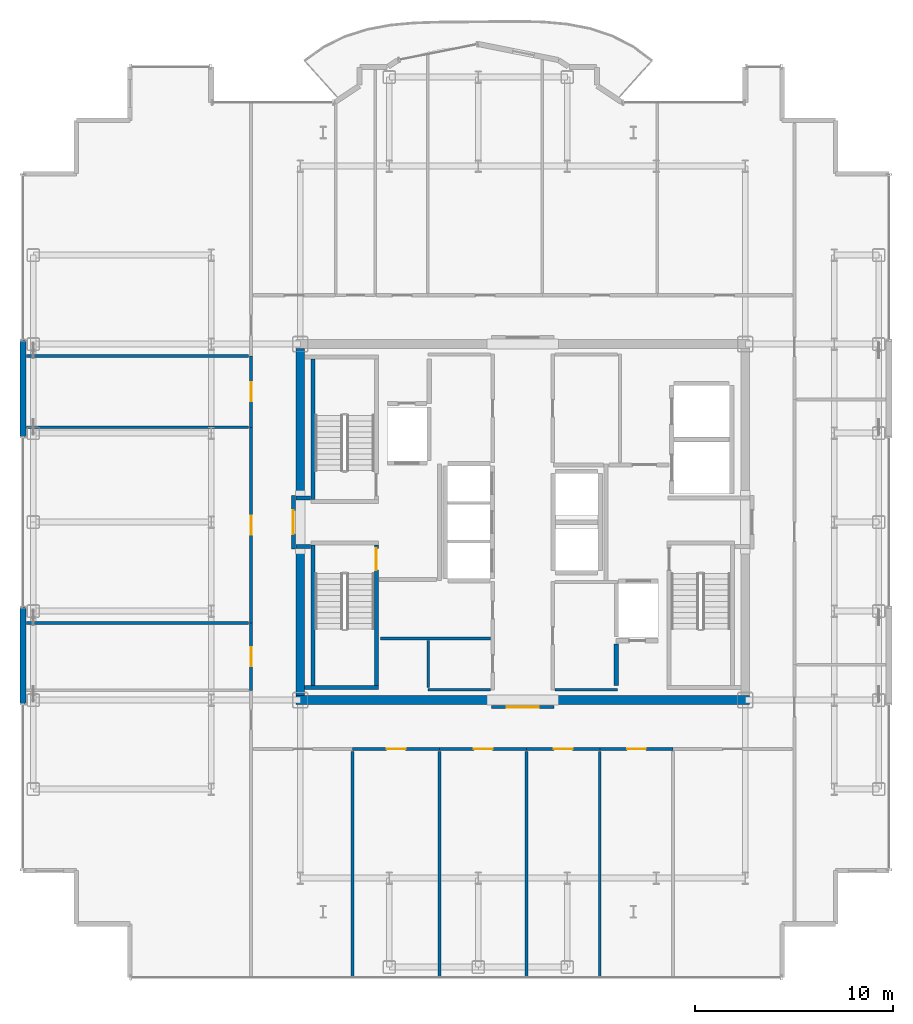
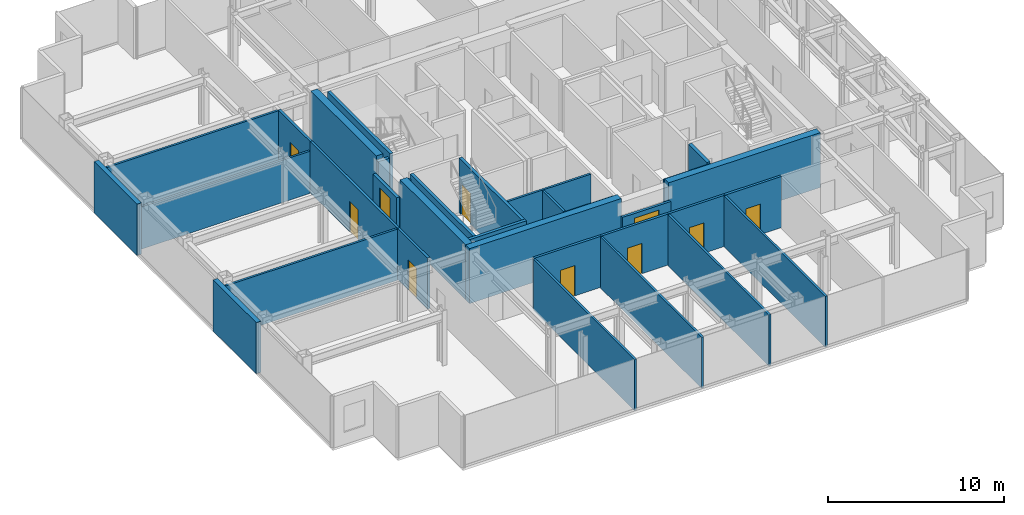
# One storey, part 11 of 16: 33 walls, 10 doors, 10 openings.
"""IFC4 building model written with IfcOpenShell, lengths in metres."""

from ifc_helpers import new_model, si_unit, direction, frame, frame_2d, origin, place, context, subcontext, project, spatial, rectangle, extrude, source, transform, mapped, material, layer, layer_set, type_object, element, fill, save


model = new_model("IFC4")

# Units and contexts
model_context = context("Model", 3, precision=1e-05, world=origin(), true_north=direction((0.0, 1.0)))
body_context = subcontext(model_context, "Body", "Model", "MODEL_VIEW")
ifc_project = project(units=[si_unit("LENGTHUNIT", "METRE"), si_unit("AREAUNIT", "SQUARE_METRE"), si_unit("VOLUMEUNIT", "CUBIC_METRE"), si_unit("PLANEANGLEUNIT", "RADIAN"), si_unit("MASSUNIT", "GRAM", prefix="KILO")], contexts=[model_context])

# Site, building, storey
site_placement = place(None, origin())
site = spatial("IfcSite", under=ifc_project, at=site_placement, CompositionType="ELEMENT")
building_placement = place(site_placement, origin())
building = spatial("IfcBuilding", under=site, at=building_placement, Name="Nefas-Gora Pilgrimage Tower", CompositionType="ELEMENT")
storey_placement = place(building_placement, frame((0.0, 0.0, 276.0)))
storey = spatial("IfcBuildingStorey", under=building, at=storey_placement, Name="L69", CompositionType="ELEMENT", Elevation=276.0)

# Walls
ifc_material_1 = material(Name="Concrete C50/60", Category="concrete")
ifc_layer_1 = layer(ifc_material_1, 0.449951171875)
ifc_layer_set_1 = layer_set([ifc_layer_1], Name="Concrete C50/60")
wall_type_1 = type_object("IfcWallType", Name="SW-CORE-450", PredefinedType="SHEAR", material=ifc_layer_set_1)
shared_shape_1 = source(origin(), body_context, "Body", "SweptSolid", [
    extrude(rectangle(XDim=9.925048828125, YDim=0.449951171875, at=frame_2d((4.96240234375, 0.0))), origin(), (0.0, 0.0, 1.0), 3.800048828125),
])
for number, where, z_axis, x_axis, name in (
    (1, (-11.47509765625, -9.0, 0.0), (0.0, 0.0, 1.0), (1.0, 0.0, 0.0), "L69 Core Shear Wall S-West"),
    (2, (1.550048828125, -9.0, 0.0), (0.0, 0.0, 1.0), (1.0, 0.0, 0.0), "L69 Core Shear Wall S-East"),
):
    element("IfcWall", number, at=place(storey_placement, frame(where, z_axis=z_axis, x_axis=x_axis)), inside=storey, type_object=wall_type_1, Name=name, PredefinedType="SHEAR", context=body_context, shape_type="MappedRepresentation", body=[
        mapped(shared_shape_1, transform((0.0, 0.0, 0.0), x_axis=(1.0, 0.0, 0.0), y_axis=(0.0, 1.0, 0.0), z_axis=(0.0, 0.0, 1.0), scale=1.0)),
    ])
shared_shape_2 = source(origin(), body_context, "Body", "SweptSolid", [
    extrude(rectangle(XDim=7.4248046875, YDim=0.449951171875, at=frame_2d((3.71240234375, 0.0))), origin(), (0.0, 0.0, 1.0), 3.800048828125),
])
for number, where, z_axis, x_axis, name in (
    (3, (-11.25, -8.77490234375, 0.0), (0.0, 0.0, 1.0), (0.0, 1.0, 0.0), "L69 Core Shear Wall W-South"),
    (4, (-11.25, 1.35009765625, 0.0), (0.0, 0.0, 1.0), (0.0, 1.0, 0.0), "L69 Core Shear Wall W-North"),
):
    element("IfcWall", number, at=place(storey_placement, frame(where, z_axis=z_axis, x_axis=x_axis)), inside=storey, type_object=wall_type_1, Name=name, PredefinedType="SHEAR", context=body_context, shape_type="MappedRepresentation", body=[
        mapped(shared_shape_2, transform((0.0, 0.0, 0.0), x_axis=(1.0, 0.0, 0.0), y_axis=(0.0, 1.0, 0.0), z_axis=(0.0, 0.0, 1.0), scale=1.0)),
    ])
ifc_material_2 = material(Name="Precast concrete C45/55", Category="concrete")
ifc_layer_2 = layer(ifc_material_2, 0.239990234375)
ifc_layer_set_2 = layer_set([ifc_layer_2], Name="Precast concrete C45/55")
wall_type_2 = type_object("IfcWallType", Name="EW-SERR-240", PredefinedType="SHEAR", material=ifc_layer_set_2)
shared_shape_3 = source(origin(), body_context, "Body", "SweptSolid", [
    extrude(rectangle(XDim=4.8798828125, YDim=0.300048828125, at=frame_2d((2.43994140625, 0.0))), origin(), (0.0, 0.0, 1.0), 3.550048828125),
])
for number, where, z_axis, x_axis, name in (
    (5, (-25.27001953125, -9.18994140625, 0.0), (0.0, 0.0, 1.0), (0.0, 1.0, 0.0), "L69 Braced-Tube Precast Shear Cladding 1"),
    (6, (-25.27001953125, 4.31005859375, 0.0), (0.0, 0.0, 1.0), (0.0, 1.0, 0.0), "L69 Braced-Tube Precast Shear Cladding 2"),
):
    element("IfcWall", number, at=place(storey_placement, frame(where, z_axis=z_axis, x_axis=x_axis)), inside=storey, type_object=wall_type_2, Name=name, PredefinedType="SHEAR", context=body_context, shape_type="MappedRepresentation", body=[
        mapped(shared_shape_3, transform((0.0, 0.0, 0.0), x_axis=(1.0, 0.0, 0.0), y_axis=(0.0, 1.0, 0.0), z_axis=(0.0, 0.0, 1.0), scale=1.0)),
    ])
ifc_material_3 = material(Name="Concrete C45/55", Category="concrete")
ifc_layer_3 = layer(ifc_material_3, 0.199951171875)
ifc_layer_set_3 = layer_set([ifc_layer_3], Name="Concrete C45/55")
wall_type_3 = type_object("IfcWallType", Name="IW-STAIR-200", PredefinedType="SOLIDWALL", material=ifc_layer_set_3)
shared_shape_4 = source(origin(), body_context, "Body", "SweptSolid", [
    extrude(rectangle(XDim=7.10009765625, YDim=0.199951171875, at=frame_2d((3.550048828125, 0.0))), origin(), (0.0, 0.0, 1.0), 3.800048828125),
])
for number, where, z_axis, x_axis, name in (
    (7, (-10.60009765625, 1.14990234375, 0.0), (0.0, 0.0, 1.0), (0.0, 1.0, 0.0), "L69 Stairwell Shear Wall ST-01-right"),
    (8, (-10.60009765625, -1.14990234375, 0.0), (0.0, 0.0, 1.0), (0.0, -1.0, 0.0), "L69 Stairwell Shear Wall ST-03-left"),
):
    element("IfcWall", number, at=place(storey_placement, frame(where, z_axis=z_axis, x_axis=x_axis)), inside=storey, type_object=wall_type_3, Name=name, PredefinedType="SOLIDWALL", context=body_context, shape_type="MappedRepresentation", body=[
        mapped(shared_shape_4, transform((0.0, 0.0, 0.0), x_axis=(1.0, 0.0, 0.0), y_axis=(0.0, 1.0, 0.0), z_axis=(0.0, 0.0, 1.0), scale=1.0)),
    ])

# Wall, opening, door
wall_1_placement = place(storey_placement, frame((-7.39990234375, -1.14990234375, 0.0), z_axis=(0.0, 0.0, 1.0), x_axis=(0.0, -1.0, 0.0)))
wall_1 = element("IfcWall", 9, at=wall_1_placement, inside=storey, type_object=wall_type_3, Name="L69 Stairwell Shear Wall ST-03-right", PredefinedType="SOLIDWALL", context=body_context, shape_type="MappedRepresentation", body=[
    mapped(shared_shape_4, transform((0.0, 0.0, 0.0), x_axis=(1.0, 0.0, 0.0), y_axis=(0.0, 1.0, 0.0), z_axis=(0.0, 0.0, 1.0), scale=1.0)),
])
opening_1_placement = place(wall_1_placement, frame((0.179931640625, 0.0, 0.0)))
opening_1 = element("IfcOpeningElement", 10, at=opening_1_placement, cuts=wall_1, Name="Opening ID-ST1", PredefinedType="OPENING", context=body_context, shape_type="SweptSolid", body=[
    extrude(rectangle(XDim=1.10009765625, YDim=2.14990234375, at=frame_2d((0.550048828125, 1.074951171875))), frame((0.0, 0.10986328125, 0.0), z_axis=(0.0, -1.0, 0.0), x_axis=(1.0, 0.0, 0.0)), (0.0, 0.0, 1.0), 0.219970703125),
])
ifc_material_4 = material(Name="Painted galvanised steel fire stair door", Category="steel")
door_type_1 = type_object("IfcDoorType", Name="DR-INT-STAIR-1100", OperationType="NOTDEFINED", PredefinedType="DOOR", material=ifc_material_4)
shared_shape_5 = source(origin(), body_context, "Body", "SweptSolid", [
    extrude(rectangle(XDim=1.10009765625, YDim=2.14990234375, at=frame_2d((0.550048828125, 1.074951171875))), frame((0.0, 0.02490234375, 0.0), z_axis=(0.0, -1.0, 0.0), x_axis=(1.0, 0.0, 0.0)), (0.0, 0.0, 1.0), 0.050048828125),
])
door_1_placement = place(opening_1_placement, origin())
door_1 = element("IfcDoor", 11, at=door_1_placement, inside=storey, type_object=door_type_1, Name="L69 Protected Exit Stair Door ST-03", OperationType="SINGLE_SWING_LEFT", OverallHeight=2.14990234375, OverallWidth=1.10009765625, PredefinedType="DOOR", context=body_context, shape_type="MappedRepresentation", body=[
    mapped(shared_shape_5, transform((0.0, 0.0, 0.0), x_axis=(1.0, 0.0, 0.0), y_axis=(0.0, 1.0, 0.0), z_axis=(0.0, 0.0, 1.0), scale=1.0)),
])
fill(opening_1, door_1)

# Walls
shared_shape_6 = source(origin(), body_context, "Body", "SweptSolid", [
    extrude(rectangle(XDim=3.72998046875, YDim=0.199951171875, at=frame_2d((1.864990234375, 0.0))), origin(), (0.0, 0.0, 1.0), 3.800048828125),
])
wall_2_placement = place(storey_placement, frame((-11.030029296875, -8.35009765625, 0.0), z_axis=(0.0, 0.0, 1.0), x_axis=(1.0, 0.0, 0.0)))
element("IfcWall", 12, at=wall_2_placement, inside=storey, type_object=wall_type_3, Name="L69 Stairwell Shear Wall ST-03-far", PredefinedType="SOLIDWALL", context=body_context, shape_type="MappedRepresentation", body=[
    mapped(shared_shape_6, transform((0.0, 0.0, 0.0), x_axis=(1.0, 0.0, 0.0), y_axis=(0.0, 1.0, 0.0), z_axis=(0.0, 0.0, 1.0), scale=1.0)),
])
ifc_material_5 = material(Name="Gypsum fire-rated shaftwall")
ifc_layer_4 = layer(ifc_material_5, 0.199951171875)
ifc_layer_set_4 = layer_set([ifc_layer_4], Name="Gypsum fire-rated shaftwall")
wall_type_4 = type_object("IfcWallType", Name="IW-FFLOB-200", PredefinedType="PARTITIONING", material=ifc_layer_set_4)
shared_shape_7 = source(origin(), body_context, "Body", "SweptSolid", [
    extrude(rectangle(XDim=0.719970703125, YDim=0.199951171875, at=frame_2d((0.35986328125, 0.0))), origin(), (0.0, 0.0, 1.0), 3.534912109375),
])
for number, where, z_axis, x_axis, name in (
    (13, (-11.4599609375, 1.219970703125, 0.0), (0.0, 0.0, 1.0), (1.0, 0.0, 0.0), "L69 FF Lobby West Throat N Wall 8"),
    (14, (-11.4599609375, -1.219970703125, 0.0), (0.0, 0.0, 1.0), (1.0, 0.0, 0.0), "L69 FF Lobby West Throat S Wall 9"),
):
    element("IfcWall", number, at=place(storey_placement, frame(where, z_axis=z_axis, x_axis=x_axis)), inside=storey, type_object=wall_type_4, Name=name, PredefinedType="PARTITIONING", context=body_context, shape_type="MappedRepresentation", body=[
        mapped(shared_shape_7, transform((0.0, 0.0, 0.0), x_axis=(1.0, 0.0, 0.0), y_axis=(0.0, 1.0, 0.0), z_axis=(0.0, 0.0, 1.0), scale=1.0)),
    ])

# Wall, opening, door
ifc_material_6 = material(Name="Gypsum acoustic stud partition")
ifc_layer_5 = layer(ifc_material_6, 0.159912109375)
ifc_layer_set_5 = layer_set([ifc_layer_5], Name="Gypsum acoustic stud partition")
wall_type_5 = type_object("IfcWallType", Name="IW-CORR-160", PredefinedType="PARTITIONING", material=ifc_layer_set_5)
shared_shape_8 = source(origin(), body_context, "Body", "SweptSolid", [
    extrude(rectangle(XDim=3.610107421875, YDim=0.159912109375, at=frame_2d((1.80517578125, 0.0))), origin(), (0.0, 0.0, 1.0), 3.534912109375),
])
wall_3_placement = place(storey_placement, frame((-13.739990234375, 4.794921875, 0.0), z_axis=(0.0, 0.0, 1.0), x_axis=(0.0, 1.0, 0.0)))
wall_3 = element("IfcWall", 15, at=wall_3_placement, inside=storey, type_object=wall_type_5, Name="L69 Scripture Reading Study Partition Wall 39", PredefinedType="PARTITIONING", context=body_context, shape_type="MappedRepresentation", body=[
    mapped(shared_shape_8, transform((0.0, 0.0, 0.0), x_axis=(1.0, 0.0, 0.0), y_axis=(0.0, 1.0, 0.0), z_axis=(0.0, 0.0, 1.0), scale=1.0)),
])
opening_2_placement = place(wall_3_placement, frame((1.330078125, 0.0, 0.0)))
opening_2 = element("IfcOpeningElement", 16, at=opening_2_placement, cuts=wall_3, Name="Opening ID-GR1", PredefinedType="OPENING", context=body_context, shape_type="SweptSolid", body=[
    extrude(rectangle(XDim=0.949951171875, YDim=2.10009765625, at=frame_2d((0.47509765625, 1.050048828125))), frame((0.0, 0.08984375, 0.0), z_axis=(0.0, -1.0, 0.0), x_axis=(1.0, 0.0, 0.0)), (0.0, 0.0, 1.0), 0.179931640625),
])
ifc_material_7 = material(Name="Solid core oak fire-rated guest entrance door")
door_type_2 = type_object("IfcDoorType", Name="DR-INT-GUEST-950", OperationType="NOTDEFINED", PredefinedType="DOOR", material=ifc_material_7)
shared_shape_9 = source(origin(), body_context, "Body", "SweptSolid", [
    extrude(rectangle(XDim=0.949951171875, YDim=2.10009765625, at=frame_2d((0.47509765625, 1.050048828125))), frame((0.0, 0.02490234375, 0.0), z_axis=(0.0, -1.0, 0.0), x_axis=(1.0, 0.0, 0.0)), (0.0, 0.0, 1.0), 0.050048828125),
])
door_2_placement = place(opening_2_placement, origin())
door_2 = element("IfcDoor", 17, at=door_2_placement, inside=storey, type_object=door_type_2, Name="L69 Scripture Reading Study Door 17", OperationType="SINGLE_SWING_LEFT", OverallHeight=2.10009765625, OverallWidth=0.949951171875, PredefinedType="DOOR", context=body_context, shape_type="MappedRepresentation", body=[
    mapped(shared_shape_9, transform((0.0, 0.0, 0.0), x_axis=(1.0, 0.0, 0.0), y_axis=(0.0, 1.0, 0.0), z_axis=(0.0, 0.0, 1.0), scale=1.0)),
])
fill(opening_2, door_2)

shared_shape_10 = source(origin(), body_context, "Body", "SweptSolid", [
    extrude(rectangle(XDim=3.704833984375, YDim=0.159912109375, at=frame_2d((1.8525390625, 0.0))), origin(), (0.0, 0.0, 1.0), 3.534912109375),
])
wall_4_placement = place(storey_placement, frame((0.195068359375, -11.469970703125, 0.0), z_axis=(0.0, 0.0, 1.0), x_axis=(1.0, 0.0, 0.0)))
wall_4 = element("IfcWall", 18, at=wall_4_placement, inside=storey, type_object=wall_type_5, Name="L69 Pilgrim Contemplative Lounge Partition Wall 61", PredefinedType="PARTITIONING", context=body_context, shape_type="MappedRepresentation", body=[
    mapped(shared_shape_10, transform((0.0, 0.0, 0.0), x_axis=(1.0, 0.0, 0.0), y_axis=(0.0, 1.0, 0.0), z_axis=(0.0, 0.0, 1.0), scale=1.0)),
])
opening_3_placement = place(wall_4_placement, frame((1.37744140625, 0.0, 0.0)))
opening_3 = element("IfcOpeningElement", 19, at=opening_3_placement, cuts=wall_4, Name="Opening ID-GR1", PredefinedType="OPENING", context=body_context, shape_type="SweptSolid", body=[
    extrude(rectangle(XDim=0.949951171875, YDim=2.10009765625, at=frame_2d((0.47509765625, 1.050048828125))), frame((0.0, 0.08984375, 0.0), z_axis=(0.0, -1.0, 0.0), x_axis=(1.0, 0.0, 0.0)), (0.0, 0.0, 1.0), 0.179931640625),
])
door_3_placement = place(opening_3_placement, origin())
door_3 = element("IfcDoor", 20, at=door_3_placement, inside=storey, type_object=door_type_2, Name="L69 Pilgrim Contemplative Lounge Door 30", OperationType="SINGLE_SWING_RIGHT", OverallHeight=2.10009765625, OverallWidth=0.949951171875, PredefinedType="DOOR", context=body_context, shape_type="MappedRepresentation", body=[
    mapped(shared_shape_9, transform((0.0, 0.0, 0.0), x_axis=(1.0, 0.0, 0.0), y_axis=(0.0, 1.0, 0.0), z_axis=(0.0, 0.0, 1.0), scale=1.0)),
])
fill(opening_3, door_3)

shared_shape_11 = source(origin(), body_context, "Body", "SweptSolid", [
    extrude(rectangle(XDim=3.705078125, YDim=0.159912109375, at=frame_2d((1.8525390625, 0.0))), origin(), (0.0, 0.0, 1.0), 3.534912109375),
])
wall_5_placement = place(storey_placement, frame((3.89990234375, -11.469970703125, 0.0), z_axis=(0.0, 0.0, 1.0), x_axis=(1.0, 0.0, 0.0)))
wall_5 = element("IfcWall", 21, at=wall_5_placement, inside=storey, type_object=wall_type_5, Name="L69 Pilgrim Contemplative Lounge Partition Wall 63", PredefinedType="PARTITIONING", context=body_context, shape_type="MappedRepresentation", body=[
    mapped(shared_shape_11, transform((0.0, 0.0, 0.0), x_axis=(1.0, 0.0, 0.0), y_axis=(0.0, 1.0, 0.0), z_axis=(0.0, 0.0, 1.0), scale=1.0)),
])
opening_4_placement = place(wall_5_placement, frame((1.37744140625, 0.0, 0.0)))
opening_4 = element("IfcOpeningElement", 22, at=opening_4_placement, cuts=wall_5, Name="Opening ID-GR1", PredefinedType="OPENING", context=body_context, shape_type="SweptSolid", body=[
    extrude(rectangle(XDim=0.949951171875, YDim=2.10009765625, at=frame_2d((0.47509765625, 1.050048828125))), frame((0.0, 0.08984375, 0.0), z_axis=(0.0, -1.0, 0.0), x_axis=(1.0, 0.0, 0.0)), (0.0, 0.0, 1.0), 0.179931640625),
])
door_4_placement = place(opening_4_placement, origin())
door_4 = element("IfcDoor", 23, at=door_4_placement, inside=storey, type_object=door_type_2, Name="L69 Pilgrim Contemplative Lounge Door 31", OperationType="SINGLE_SWING_LEFT", OverallHeight=2.10009765625, OverallWidth=0.949951171875, PredefinedType="DOOR", context=body_context, shape_type="MappedRepresentation", body=[
    mapped(shared_shape_9, transform((0.0, 0.0, 0.0), x_axis=(1.0, 0.0, 0.0), y_axis=(0.0, 1.0, 0.0), z_axis=(0.0, 0.0, 1.0), scale=1.0)),
])
fill(opening_4, door_4)

# Walls
ifc_material_8 = material(Name="Gypsum twin-stud partition")
ifc_layer_6 = layer(ifc_material_8, 0.139892578125)
ifc_layer_set_6 = layer_set([ifc_layer_6], Name="Gypsum twin-stud partition")
wall_type_6 = type_object("IfcWallType", Name="IW-UNIT-140", PredefinedType="PARTITIONING", material=ifc_layer_set_6)
shared_shape_12 = source(origin(), body_context, "Body", "SweptSolid", [
    extrude(rectangle(XDim=3.150146484375, YDim=0.139892578125, at=frame_2d((1.5751953125, 0.0))), origin(), (0.0, 0.0, 1.0), 3.534912109375),
])
for number, where, z_axis, x_axis, name in (
    (24, (-4.7900390625, -8.47998046875, 0.0), (0.0, 0.0, 1.0), (1.0, 0.0, 0.0), "L69 Freed Bank-2 West Supply Vault Partition Wall 25"),
    (25, (1.639892578125, -8.47998046875, 0.0), (0.0, 0.0, 1.0), (1.0, 0.0, 0.0), "L69 Freed Bank-2 East Linen Store Partition Wall 29"),
):
    element("IfcWall", number, at=place(storey_placement, frame(where, z_axis=z_axis, x_axis=x_axis)), inside=storey, type_object=wall_type_6, Name=name, PredefinedType="PARTITIONING", context=body_context, shape_type="MappedRepresentation", body=[
        mapped(shared_shape_12, transform((0.0, 0.0, 0.0), x_axis=(1.0, 0.0, 0.0), y_axis=(0.0, 1.0, 0.0), z_axis=(0.0, 0.0, 1.0), scale=1.0)),
    ])

# Wall, opening, door
shared_shape_13 = source(origin(), body_context, "Body", "SweptSolid", [
    extrude(rectangle(XDim=3.409912109375, YDim=0.159912109375, at=frame_2d((1.705078125, 0.0))), origin(), (0.0, 0.0, 1.0), 3.534912109375),
])
wall_6_placement = place(storey_placement, frame((-13.739990234375, -8.5048828125, 0.0), z_axis=(0.0, 0.0, 1.0), x_axis=(0.0, 1.0, 0.0)))
wall_6 = element("IfcWall", 26, at=wall_6_placement, inside=storey, type_object=wall_type_5, Name="L69 Pastoral Chaplains Counselling Office Partition Wall 35", PredefinedType="PARTITIONING", context=body_context, shape_type="MappedRepresentation", body=[
    mapped(shared_shape_13, transform((0.0, 0.0, 0.0), x_axis=(1.0, 0.0, 0.0), y_axis=(0.0, 1.0, 0.0), z_axis=(0.0, 0.0, 1.0), scale=1.0)),
])
opening_5_placement = place(wall_6_placement, frame((1.22998046875, 0.0, 0.0)))
opening_5 = element("IfcOpeningElement", 27, at=opening_5_placement, cuts=wall_6, Name="Opening ID-GR1", PredefinedType="OPENING", context=body_context, shape_type="SweptSolid", body=[
    extrude(rectangle(XDim=0.949951171875, YDim=2.10009765625, at=frame_2d((0.47509765625, 1.050048828125))), frame((0.0, 0.08984375, 0.0), z_axis=(0.0, -1.0, 0.0), x_axis=(1.0, 0.0, 0.0)), (0.0, 0.0, 1.0), 0.179931640625),
])
door_5_placement = place(opening_5_placement, origin())
door_5 = element("IfcDoor", 28, at=door_5_placement, inside=storey, type_object=door_type_2, Name="L69 Pastoral Chaplains Counselling Office Door 15", OperationType="SINGLE_SWING_LEFT", OverallHeight=2.10009765625, OverallWidth=0.949951171875, PredefinedType="DOOR", context=body_context, shape_type="MappedRepresentation", body=[
    mapped(shared_shape_9, transform((0.0, 0.0, 0.0), x_axis=(1.0, 0.0, 0.0), y_axis=(0.0, 1.0, 0.0), z_axis=(0.0, 0.0, 1.0), scale=1.0)),
])
fill(opening_5, door_5)

shared_shape_14 = source(origin(), body_context, "Body", "SweptSolid", [
    extrude(rectangle(XDim=4.405029296875, YDim=0.159912109375, at=frame_2d((2.20263671875, 0.0))), origin(), (0.0, 0.0, 1.0), 3.534912109375),
])
wall_7_placement = place(storey_placement, frame((-8.60498046875, -11.469970703125, 0.0), z_axis=(0.0, 0.0, 1.0), x_axis=(1.0, 0.0, 0.0)))
wall_7 = element("IfcWall", 29, at=wall_7_placement, inside=storey, type_object=wall_type_5, Name="L69 Pilgrim Contemplative Lounge Partition Wall 57", PredefinedType="PARTITIONING", context=body_context, shape_type="MappedRepresentation", body=[
    mapped(shared_shape_14, transform((0.0, 0.0, 0.0), x_axis=(1.0, 0.0, 0.0), y_axis=(0.0, 1.0, 0.0), z_axis=(0.0, 0.0, 1.0), scale=1.0)),
])
opening_6_placement = place(wall_7_placement, frame((1.7275390625, 0.0, 0.0)))
opening_6 = element("IfcOpeningElement", 30, at=opening_6_placement, cuts=wall_7, Name="Opening ID-GR1", PredefinedType="OPENING", context=body_context, shape_type="SweptSolid", body=[
    extrude(rectangle(XDim=0.949951171875, YDim=2.10009765625, at=frame_2d((0.47509765625, 1.050048828125))), frame((0.0, 0.08984375, 0.0), z_axis=(0.0, -1.0, 0.0), x_axis=(1.0, 0.0, 0.0)), (0.0, 0.0, 1.0), 0.179931640625),
])
door_6_placement = place(opening_6_placement, origin())
door_6 = element("IfcDoor", 31, at=door_6_placement, inside=storey, type_object=door_type_2, Name="L69 Pilgrim Contemplative Lounge Door 28", OperationType="SINGLE_SWING_RIGHT", OverallHeight=2.10009765625, OverallWidth=0.949951171875, PredefinedType="DOOR", context=body_context, shape_type="MappedRepresentation", body=[
    mapped(shared_shape_9, transform((0.0, 0.0, 0.0), x_axis=(1.0, 0.0, 0.0), y_axis=(0.0, 1.0, 0.0), z_axis=(0.0, 0.0, 1.0), scale=1.0)),
])
fill(opening_6, door_6)

wall_8_placement = place(storey_placement, frame((-4.199951171875, -11.469970703125, 0.0), z_axis=(0.0, 0.0, 1.0), x_axis=(1.0, 0.0, 0.0)))
wall_8 = element("IfcWall", 32, at=wall_8_placement, inside=storey, type_object=wall_type_5, Name="L69 Pilgrim Contemplative Lounge Partition Wall 59", PredefinedType="PARTITIONING", context=body_context, shape_type="MappedRepresentation", body=[
    mapped(shared_shape_14, transform((0.0, 0.0, 0.0), x_axis=(1.0, 0.0, 0.0), y_axis=(0.0, 1.0, 0.0), z_axis=(0.0, 0.0, 1.0), scale=1.0)),
])
opening_7_placement = place(wall_8_placement, frame((1.7275390625, 0.0, 0.0)))
opening_7 = element("IfcOpeningElement", 33, at=opening_7_placement, cuts=wall_8, Name="Opening ID-GR1", PredefinedType="OPENING", context=body_context, shape_type="SweptSolid", body=[
    extrude(rectangle(XDim=0.949951171875, YDim=2.10009765625, at=frame_2d((0.47509765625, 1.050048828125))), frame((0.0, 0.08984375, 0.0), z_axis=(0.0, -1.0, 0.0), x_axis=(1.0, 0.0, 0.0)), (0.0, 0.0, 1.0), 0.179931640625),
])
door_7_placement = place(opening_7_placement, origin())
door_7 = element("IfcDoor", 34, at=door_7_placement, inside=storey, type_object=door_type_2, Name="L69 Pilgrim Contemplative Lounge Door 29", OperationType="SINGLE_SWING_LEFT", OverallHeight=2.10009765625, OverallWidth=0.949951171875, PredefinedType="DOOR", context=body_context, shape_type="MappedRepresentation", body=[
    mapped(shared_shape_9, transform((0.0, 0.0, 0.0), x_axis=(1.0, 0.0, 0.0), y_axis=(0.0, 1.0, 0.0), z_axis=(0.0, 0.0, 1.0), scale=1.0)),
])
fill(opening_7, door_7)

# Walls
shared_shape_15 = source(origin(), body_context, "Body", "SweptSolid", [
    extrude(rectangle(XDim=11.219970703125, YDim=0.139892578125, at=frame_2d((5.60986328125, 0.0))), origin(), (0.0, 0.0, 1.0), 3.534912109375),
])
for number, where, z_axis, x_axis, name in (
    (35, (-25.080078125, -5.10498046875, 0.0), (0.0, 0.0, 1.0), (1.0, 0.0, 0.0), "L69 Pastoral Chaplains Counselling Office Partition Wall 36"),
    (36, (-25.080078125, 8.39501953125, 0.0), (0.0, 0.0, 1.0), (1.0, 0.0, 0.0), "L69 Scripture Reading Study Partition Wall 40"),
):
    element("IfcWall", number, at=place(storey_placement, frame(where, z_axis=z_axis, x_axis=x_axis)), inside=storey, type_object=wall_type_6, Name=name, PredefinedType="PARTITIONING", context=body_context, shape_type="MappedRepresentation", body=[
        mapped(shared_shape_15, transform((0.0, 0.0, 0.0), x_axis=(1.0, 0.0, 0.0), y_axis=(0.0, 1.0, 0.0), z_axis=(0.0, 0.0, 1.0), scale=1.0)),
    ])

# Wall, opening, door
shared_shape_16 = source(origin(), body_context, "Body", "SweptSolid", [
    extrude(rectangle(XDim=9.909912109375, YDim=0.159912109375, at=frame_2d((4.955078125, 0.0))), origin(), (0.0, 0.0, 1.0), 3.534912109375),
])
wall_9_placement = place(storey_placement, frame((-13.739990234375, -5.10498046875, 0.0), z_axis=(0.0, 0.0, 1.0), x_axis=(0.0, 1.0, 0.0)))
wall_9 = element("IfcWall", 37, at=wall_9_placement, inside=storey, type_object=wall_type_5, Name="L69 Pilgrim Fellowship Seminar Room Partition Wall 37", PredefinedType="PARTITIONING", context=body_context, shape_type="MappedRepresentation", body=[
    mapped(shared_shape_16, transform((0.0, 0.0, 0.0), x_axis=(1.0, 0.0, 0.0), y_axis=(0.0, 1.0, 0.0), z_axis=(0.0, 0.0, 1.0), scale=1.0)),
])
opening_8_placement = place(wall_9_placement, frame((4.47998046875, 0.0, 0.0)))
opening_8 = element("IfcOpeningElement", 38, at=opening_8_placement, cuts=wall_9, Name="Opening ID-GR1", PredefinedType="OPENING", context=body_context, shape_type="SweptSolid", body=[
    extrude(rectangle(XDim=0.949951171875, YDim=2.10009765625, at=frame_2d((0.47509765625, 1.050048828125))), frame((0.0, 0.08984375, 0.0), z_axis=(0.0, -1.0, 0.0), x_axis=(1.0, 0.0, 0.0)), (0.0, 0.0, 1.0), 0.179931640625),
])
door_8_placement = place(opening_8_placement, origin())
door_8 = element("IfcDoor", 39, at=door_8_placement, inside=storey, type_object=door_type_2, Name="L69 Pilgrim Fellowship Seminar Room Door 16", OperationType="SINGLE_SWING_RIGHT", OverallHeight=2.10009765625, OverallWidth=0.949951171875, PredefinedType="DOOR", context=body_context, shape_type="MappedRepresentation", body=[
    mapped(shared_shape_9, transform((0.0, 0.0, 0.0), x_axis=(1.0, 0.0, 0.0), y_axis=(0.0, 1.0, 0.0), z_axis=(0.0, 0.0, 1.0), scale=1.0)),
])
fill(opening_8, door_8)

shared_shape_17 = source(origin(), body_context, "Body", "SweptSolid", [
    extrude(rectangle(XDim=2.7001953125, YDim=0.199951171875, at=frame_2d((1.35009765625, 0.0))), origin(), (0.0, 0.0, 1.0), 2.625),
])
wall_10_placement = place(storey_placement, frame((-11.60009765625, -1.35009765625, 0.0), z_axis=(0.0, 0.0, 1.0), x_axis=(0.0, 1.0, 0.0)))
wall_10 = element("IfcWall", 40, at=wall_10_placement, inside=storey, type_object=wall_type_4, Name="L69 FF Lobby West Portal Wall 5", PredefinedType="PARTITIONING", context=body_context, shape_type="MappedRepresentation", body=[
    mapped(shared_shape_17, transform((0.0, 0.0, 0.0), x_axis=(1.0, 0.0, 0.0), y_axis=(0.0, 1.0, 0.0), z_axis=(0.0, 0.0, 1.0), scale=1.0)),
])
opening_9_placement = place(wall_10_placement, frame((0.75, 0.0, 0.0)))
opening_9 = element("IfcOpeningElement", 41, at=opening_9_placement, cuts=wall_10, Name="Opening ID-FF1", PredefinedType="OPENING", context=body_context, shape_type="SweptSolid", body=[
    extrude(rectangle(XDim=1.199951171875, YDim=2.14990234375, at=frame_2d((0.60009765625, 1.074951171875))), frame((0.0, 0.10986328125, 0.0), z_axis=(0.0, -1.0, 0.0), x_axis=(1.0, 0.0, 0.0)), (0.0, 0.0, 1.0), 0.219970703125),
])
ifc_material_9 = material(Name="Smoke-sealed steel firefighting lobby door", Category="steel")
door_type_3 = type_object("IfcDoorType", Name="DR-INT-FFLOB-1200", OperationType="NOTDEFINED", PredefinedType="DOOR", material=ifc_material_9)
shared_shape_18 = source(origin(), body_context, "Body", "SweptSolid", [
    extrude(rectangle(XDim=1.199951171875, YDim=2.14990234375, at=frame_2d((0.60009765625, 1.074951171875))), frame((0.0, 0.02490234375, 0.0), z_axis=(0.0, -1.0, 0.0), x_axis=(1.0, 0.0, 0.0)), (0.0, 0.0, 1.0), 0.050048828125),
])
door_9_placement = place(opening_9_placement, origin())
door_9 = element("IfcDoor", 42, at=door_9_placement, inside=storey, type_object=door_type_3, Name="L69 FF Lobby West Portal Door 3", OperationType="SINGLE_SWING_LEFT", OverallHeight=2.14990234375, OverallWidth=1.199951171875, PredefinedType="DOOR", context=body_context, shape_type="MappedRepresentation", body=[
    mapped(shared_shape_18, transform((0.0, 0.0, 0.0), x_axis=(1.0, 0.0, 0.0), y_axis=(0.0, 1.0, 0.0), z_axis=(0.0, 0.0, 1.0), scale=1.0)),
])
fill(opening_9, door_9)

shared_shape_19 = source(origin(), body_context, "Body", "SweptSolid", [
    extrude(rectangle(XDim=3.16015625, YDim=0.159912109375, at=frame_2d((1.580078125, 0.0))), origin(), (0.0, 0.0, 1.0), 2.625),
])
wall_11_placement = place(storey_placement, frame((-1.580078125, -9.35009765625, 0.0), z_axis=(0.0, 0.0, 1.0), x_axis=(1.0, 0.0, 0.0)))
wall_11 = element("IfcWall", 43, at=wall_11_placement, inside=storey, type_object=wall_type_5, Name="L69 Central Lift Lobby South Portal Wall 17", PredefinedType="PARTITIONING", context=body_context, shape_type="MappedRepresentation", body=[
    mapped(shared_shape_19, transform((0.0, 0.0, 0.0), x_axis=(1.0, 0.0, 0.0), y_axis=(0.0, 1.0, 0.0), z_axis=(0.0, 0.0, 1.0), scale=1.0)),
])
opening_10_placement = place(wall_11_placement, frame((0.780029296875, 0.0, 0.0)))
opening_10 = element("IfcOpeningElement", 44, at=opening_10_placement, cuts=wall_11, Name="Opening ID-HL1", PredefinedType="OPENING", context=body_context, shape_type="SweptSolid", body=[
    extrude(rectangle(XDim=1.60009765625, YDim=2.300048828125, at=frame_2d((0.800048828125, 1.14990234375))), frame((0.0, 0.08984375, 0.0), z_axis=(0.0, -1.0, 0.0), x_axis=(1.0, 0.0, 0.0)), (0.0, 0.0, 1.0), 0.179931640625),
])
ifc_material_10 = material(Name="Double acoustic timber assembly hall door", Category="wood")
door_type_4 = type_object("IfcDoorType", Name="DR-INT-HALL-1600", OperationType="DOUBLE_DOOR_SINGLE_SWING", PredefinedType="DOOR", material=ifc_material_10)
shared_shape_20 = source(origin(), body_context, "Body", "SweptSolid", [
    extrude(rectangle(XDim=1.60009765625, YDim=2.300048828125, at=frame_2d((0.800048828125, 1.14990234375))), frame((0.0, 0.02490234375, 0.0), z_axis=(0.0, -1.0, 0.0), x_axis=(1.0, 0.0, 0.0)), (0.0, 0.0, 1.0), 0.050048828125),
])
door_10_placement = place(opening_10_placement, origin())
door_10 = element("IfcDoor", 45, at=door_10_placement, inside=storey, type_object=door_type_4, Name="L69 Central Lift Lobby South Portal Door 7", OperationType="DOUBLE_DOOR_SINGLE_SWING", OverallHeight=2.300048828125, OverallWidth=1.60009765625, PredefinedType="DOOR", context=body_context, shape_type="MappedRepresentation", body=[
    mapped(shared_shape_20, transform((0.0, 0.0, 0.0), x_axis=(1.0, 0.0, 0.0), y_axis=(0.0, 1.0, 0.0), z_axis=(0.0, 0.0, 1.0), scale=1.0)),
])
fill(opening_10, door_10)

# Walls
shared_shape_21 = source(origin(), body_context, "Body", "SweptSolid", [
    extrude(rectangle(XDim=11.219970703125, YDim=0.139892578125, at=frame_2d((5.60986328125, 0.0))), origin(), (0.0, 0.0, 1.0), 2.925048828125),
])
wall_12_placement = place(storey_placement, frame((-25.080078125, 4.794921875, 0.0), z_axis=(0.0, 0.0, 1.0), x_axis=(1.0, 0.0, 0.0)))
element("IfcWall", 46, at=wall_12_placement, inside=storey, type_object=wall_type_6, Name="L69 Pilgrim Fellowship Seminar Room Partition Wall 38", PredefinedType="PARTITIONING", context=body_context, shape_type="MappedRepresentation", body=[
    mapped(shared_shape_21, transform((0.0, 0.0, 0.0), x_axis=(1.0, 0.0, 0.0), y_axis=(0.0, 1.0, 0.0), z_axis=(0.0, 0.0, 1.0), scale=1.0)),
])
shared_shape_22 = source(origin(), body_context, "Body", "SweptSolid", [
    extrude(rectangle(XDim=11.449951171875, YDim=0.139892578125, at=frame_2d((5.72509765625, 0.0))), origin(), (0.0, 0.0, 1.0), 3.534912109375),
])
for number, where, z_axis, x_axis, name in (
    (47, (-8.60498046875, -23.0400390625, 0.0), (0.0, 0.0, 1.0), (0.0, 1.0, 0.0), "L69 Pilgrim Contemplative Lounge Partition Wall 56"),
    (48, (-4.2099609375, -23.0400390625, 0.0), (0.0, 0.0, 1.0), (0.0, 1.0, 0.0), "L69 Pilgrim Contemplative Lounge Partition Wall 58"),
    (49, (0.195068359375, -23.0400390625, 0.0), (0.0, 0.0, 1.0), (0.0, 1.0, 0.0), "L69 Pilgrim Contemplative Lounge Partition Wall 60"),
    (50, (3.889892578125, -23.0400390625, 0.0), (0.0, 0.0, 1.0), (0.0, 1.0, 0.0), "L69 Pilgrim Contemplative Lounge Partition Wall 62"),
):
    element("IfcWall", number, at=place(storey_placement, frame(where, z_axis=z_axis, x_axis=x_axis)), inside=storey, type_object=wall_type_6, Name=name, PredefinedType="PARTITIONING", context=body_context, shape_type="MappedRepresentation", body=[
        mapped(shared_shape_22, transform((0.0, 0.0, 0.0), x_axis=(1.0, 0.0, 0.0), y_axis=(0.0, 1.0, 0.0), z_axis=(0.0, 0.0, 1.0), scale=1.0)),
    ])
ifc_material_11 = material(Name="Concrete C40/50", Category="concrete")
ifc_layer_7 = layer(ifc_material_11, 0.219970703125)
ifc_layer_set_7 = layer_set([ifc_layer_7], Name="Concrete C40/50")
wall_type_7 = type_object("IfcWallType", Name="IW-SHAFT-220", PredefinedType="SOLIDWALL", material=ifc_layer_set_7)
shared_shape_23 = source(origin(), body_context, "Body", "SweptSolid", [
    extrude(rectangle(XDim=2.10009765625, YDim=0.219970703125, at=frame_2d((1.050048828125, 0.0))), origin(), (0.0, 0.0, 1.0), 3.534912109375),
])
wall_13_placement = place(storey_placement, frame((4.719970703125, -8.25, 0.0), z_axis=(0.0, 0.0, 1.0), x_axis=(0.0, 1.0, 0.0)))
element("IfcWall", 51, at=wall_13_placement, inside=storey, type_object=wall_type_7, Name="L69 Riser Shaft Wall 4", PredefinedType="SOLIDWALL", context=body_context, shape_type="MappedRepresentation", body=[
    mapped(shared_shape_23, transform((0.0, 0.0, 0.0), x_axis=(1.0, 0.0, 0.0), y_axis=(0.0, 1.0, 0.0), z_axis=(0.0, 0.0, 1.0), scale=1.0)),
])
shared_shape_24 = source(origin(), body_context, "Body", "SweptSolid", [
    extrude(rectangle(XDim=5.550048828125, YDim=0.139892578125, at=frame_2d((2.77490234375, 0.0))), origin(), (0.0, 0.0, 1.0), 3.534912109375),
])
wall_14_placement = place(storey_placement, frame((-7.18994140625, -5.8798828125, 0.0), z_axis=(0.0, 0.0, 1.0), x_axis=(1.0, 0.0, 0.0)))
element("IfcWall", 52, at=wall_14_placement, inside=storey, type_object=wall_type_6, Name="L69 Pilgrim Baggage and Gear Vault Partition Wall 22", PredefinedType="PARTITIONING", context=body_context, shape_type="MappedRepresentation", body=[
    mapped(shared_shape_24, transform((0.0, 0.0, 0.0), x_axis=(1.0, 0.0, 0.0), y_axis=(0.0, 1.0, 0.0), z_axis=(0.0, 0.0, 1.0), scale=1.0)),
])
shared_shape_25 = source(origin(), body_context, "Body", "SweptSolid", [
    extrude(rectangle(XDim=2.380126953125, YDim=0.139892578125, at=frame_2d((1.18994140625, 0.0))), origin(), (0.0, 0.0, 1.0), 3.534912109375),
])
wall_15_placement = place(storey_placement, frame((-4.780029296875, -8.3701171875, 0.0), z_axis=(0.0, 0.0, 1.0), x_axis=(0.0, 1.0, 0.0)))
element("IfcWall", 53, at=wall_15_placement, inside=storey, type_object=wall_type_6, Name="L69 Freed Bank-2 West Supply Vault Partition Wall 26", PredefinedType="PARTITIONING", context=body_context, shape_type="MappedRepresentation", body=[
    mapped(shared_shape_25, transform((0.0, 0.0, 0.0), x_axis=(1.0, 0.0, 0.0), y_axis=(0.0, 1.0, 0.0), z_axis=(0.0, 0.0, 1.0), scale=1.0)),
])

save(model, "model.ifc")
